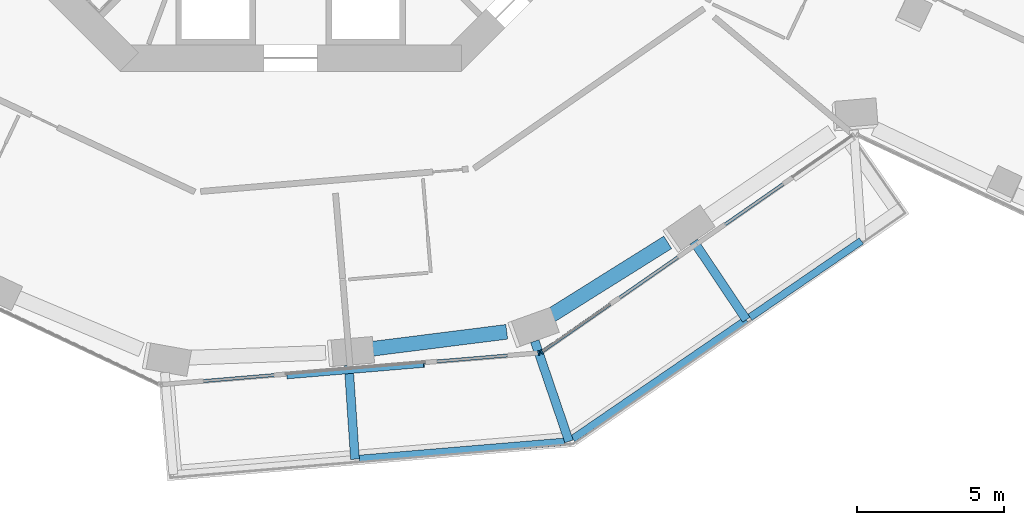
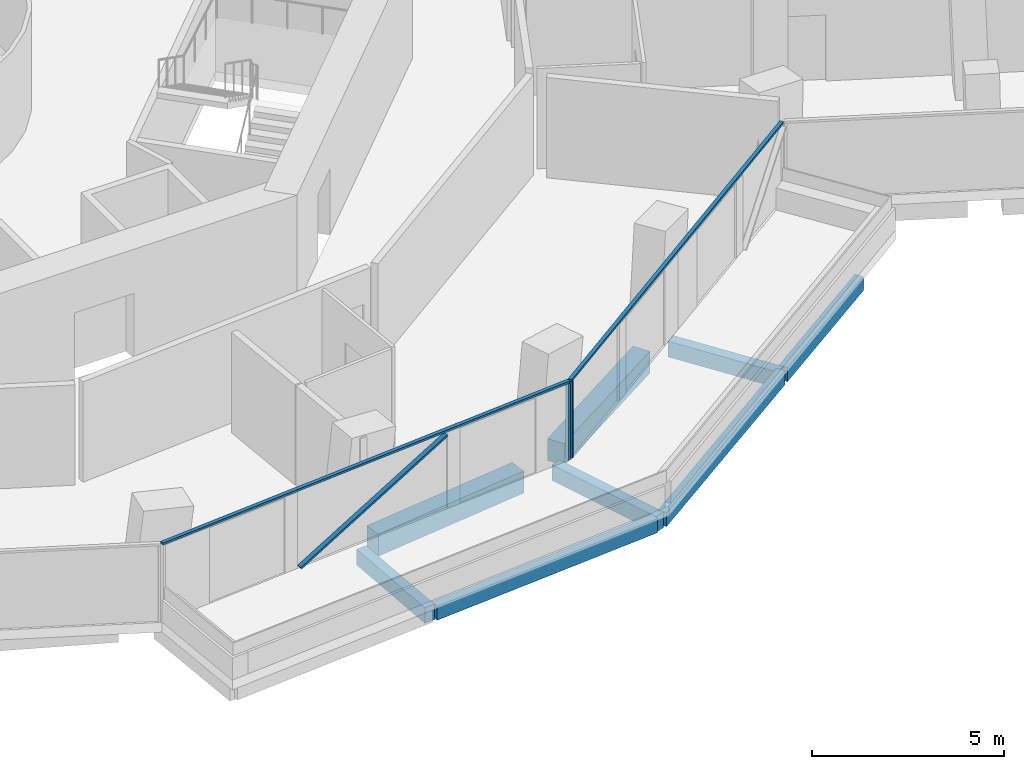
# One storey, part 5 of 26: 8 beams, 5 members, 2 elements without a shape of their own.
"""IFC4 building model written with IfcOpenShell, lengths in metres."""

from ifc_helpers import new_model, si_unit, direction, frame, origin, origin_2d, place, context, subcontext, project, spatial, rectangle, extrude, material, layer, layer_set, material_profile, profile_set, type_object, element, aggregate, save


model = new_model("IFC4")

# Units and contexts
model_context = context("Model", 3, precision=1e-05, world=origin(), true_north=direction((0.0, 1.0)))
body_context = subcontext(model_context, "Body", "Model", "MODEL_VIEW")
ifc_project = project(units=[si_unit("LENGTHUNIT", "METRE"), si_unit("AREAUNIT", "SQUARE_METRE"), si_unit("VOLUMEUNIT", "CUBIC_METRE"), si_unit("PLANEANGLEUNIT", "RADIAN"), si_unit("MASSUNIT", "GRAM", prefix="KILO")], contexts=[model_context])

# Site, building, storey
site_placement = place(None, origin())
site = spatial("IfcSite", under=ifc_project, at=site_placement, CompositionType="ELEMENT")
building_placement = place(site_placement, origin())
building = spatial("IfcBuilding", under=site, at=building_placement, Name="Verdalira Terraces Hotel", CompositionType="ELEMENT")
storey_placement = place(building_placement, frame((0.0, 0.0, 53.0)))
storey = spatial("IfcBuildingStorey", under=building, at=storey_placement, Name="L11", CompositionType="ELEMENT", Elevation=53.0)

# Beams
ifc_material_1 = material(Name="Concrete C40", Category="concrete")
ifc_material_profile_1 = material_profile(ifc_material_1, rectangle(XDim=0.300049, YDim=0.5, at=origin_2d()), Name="RC 300X500")
ifc_profile_set_1 = profile_set([ifc_material_profile_1], Name="Concrete C40")
beam_type_1 = type_object("IfcBeamType", Name="Balcony cantilever beam RC 300X500 C40", PredefinedType="BEAM", material=ifc_profile_set_1)
beam_1_placement = place(storey_placement, frame((1.970703, -23.977295, -0.560059), z_axis=(0.066969567, -0.997755019, 0.0), x_axis=(0.997755019, 0.066969567, 0.0)))
element("IfcBeam", 1, at=beam_1_placement, inside=storey, type_object=beam_type_1, Name="Balcony cantilever beam R26-2", PredefinedType="BEAM", context=body_context, shape_type="SweptSolid", body=[
    extrude(rectangle(XDim=0.300049, YDim=0.5, at=origin_2d()), origin(), (0.0, 0.0, 1.0), 3.200684),
])
beam_2_placement = place(storey_placement, frame((8.29248, -23.161133, -0.560059), z_axis=(0.322917074, -0.946427263, 0.0), x_axis=(0.946427263, 0.322917074, 0.0)))
element("IfcBeam", 2, at=beam_2_placement, inside=storey, type_object=beam_type_1, Name="Balcony cantilever beam R26-3", PredefinedType="BEAM", context=body_context, shape_type="SweptSolid", body=[
    extrude(rectangle(XDim=0.300049, YDim=0.5, at=origin_2d()), origin(), (0.0, 0.0, 1.0), 3.598145),
])
beam_3_placement = place(storey_placement, frame((13.695312, -19.779541, -0.560059), z_axis=(0.556898555, -0.830580519, 0.0), x_axis=(0.830580519, 0.556898555, 0.0)))
element("IfcBeam", 3, at=beam_3_placement, inside=storey, type_object=beam_type_1, Name="Balcony cantilever beam R26-4", PredefinedType="BEAM", context=body_context, shape_type="SweptSolid", body=[
    extrude(rectangle(XDim=0.300049, YDim=0.5, at=origin_2d()), origin(), (0.0, 0.0, 1.0), 3.200684),
])
ifc_material_2 = material(Name="Concrete C40", Category="concrete")
ifc_material_profile_2 = material_profile(ifc_material_2, rectangle(XDim=0.25, YDim=0.449951, at=origin_2d()), Name="RC 250X450")
ifc_profile_set_2 = profile_set([ifc_material_profile_2], Name="Concrete C40")
beam_type_2 = type_object("IfcBeamType", Name="Balcony edge beam RC 250X450 C40", PredefinedType="BEAM", material=ifc_profile_set_2)
beam_4_placement = place(storey_placement, frame((2.334717, -27.158447, -0.534912), z_axis=(0.996558994, 0.082886492, 0.0), x_axis=(-0.082886492, 0.996558994, 0.0)))
element("IfcBeam", 4, at=beam_4_placement, inside=storey, type_object=beam_type_2, Name="Balcony edge beam R26-2", PredefinedType="BEAM", context=body_context, shape_type="SweptSolid", body=[
    extrude(rectangle(XDim=0.25, YDim=0.449951, at=origin_2d()), origin(), (0.0, 0.0, 1.0), 6.989746),
])
beam_5_placement = place(storey_placement, frame((9.582764, -26.478271, -0.534912), z_axis=(0.824860392, 0.565336479, 0.0), x_axis=(-0.565336479, 0.824860392, 0.0)))
element("IfcBeam", 5, at=beam_5_placement, inside=storey, type_object=beam_type_2, Name="Balcony edge beam R26-3", PredefinedType="BEAM", context=body_context, shape_type="SweptSolid", body=[
    extrude(rectangle(XDim=0.25, YDim=0.449951, at=origin_2d()), origin(), (0.0, 0.0, 1.0), 7.146729),
])
beam_6_placement = place(storey_placement, frame((15.601318, -22.353271, -0.534912), z_axis=(0.824564964, 0.565767284, 0.0), x_axis=(-0.565767284, 0.824564964, 0.0)))
element("IfcBeam", 6, at=beam_6_placement, inside=storey, type_object=beam_type_2, Name="Balcony edge beam R26-4", PredefinedType="BEAM", context=body_context, shape_type="SweptSolid", body=[
    extrude(rectangle(XDim=0.25, YDim=0.449951, at=origin_2d()), origin(), (0.0, 0.0, 1.0), 4.58667),
])

# Curtain wall, member
ifc_material_3 = material(Name="Clear glass", Category="glass")
ifc_layer = layer(ifc_material_3, 0.14990234375)
ifc_layer_set = layer_set([ifc_layer], Name="CW1 curtain wall")
curtain_wall_type = type_object("IfcCurtainWallType", Name="CW1 curtain wall", PredefinedType="NOTDEFINED", material=ifc_layer_set)
curtain_wall_1_placement = place(storey_placement, origin())
curtain_wall_1 = element("IfcCurtainWall", 7, at=curtain_wall_1_placement, inside=storey, type_object=curtain_wall_type, Name="CW1 curtain wall L11 edge 26", PredefinedType="NOTDEFINED")
ifc_material_4 = material(Name="Terracotta frame", Category="masonry")
ifc_material_profile_3 = material_profile(ifc_material_4, rectangle(XDim=0.060059, YDim=0.149902, at=origin_2d()), Name="MU 60x150")
ifc_profile_set_3 = profile_set([ifc_material_profile_3], Name="Terracotta frame")
member_type_1 = type_object("IfcMemberType", Name="CW1 mullion 60x150", PredefinedType="MULLION", material=ifc_profile_set_3)
member_1_placement = place(storey_placement, frame((8.430908, -23.560547, 0.0), z_axis=(0.0, 0.0, 1.0), x_axis=(0.996492859, 0.083677843, 0.0)))
member_1 = element("IfcMember", 8, at=member_1_placement, type_object=member_type_1, Name="CW1 mullion", PredefinedType="MULLION", context=body_context, shape_type="SweptSolid", body=[
    extrude(rectangle(XDim=0.060059, YDim=0.149902, at=origin_2d()), origin(), (0.0, 0.0, 1.0), 2.425049),
])

curtain_wall_2_placement = place(storey_placement, origin())
curtain_wall_2 = element("IfcCurtainWall", 9, at=curtain_wall_2_placement, inside=storey, type_object=curtain_wall_type, Name="CW1 curtain wall L11 edge 27", PredefinedType="NOTDEFINED")
member_2_placement = place(storey_placement, frame((8.521973, -23.527588, 0.0), z_axis=(0.0, 0.0, 1.0), x_axis=(0.821149209, 0.570713568, 0.0)))
member_2 = element("IfcMember", 10, at=member_2_placement, type_object=member_type_1, Name="CW1 mullion", PredefinedType="MULLION", context=body_context, shape_type="SweptSolid", body=[
    extrude(rectangle(XDim=0.060059, YDim=0.149902, at=origin_2d()), origin(), (0.0, 0.0, 1.0), 2.425049),
])

# Member
ifc_material_5 = material(Name="Terracotta frame", Category="masonry")
ifc_material_profile_4 = material_profile(ifc_material_5, rectangle(XDim=0.110107, YDim=0.064941, at=origin_2d()), Name="TR 65x110")
ifc_profile_set_4 = profile_set([ifc_material_profile_4], Name="Terracotta frame")
member_type_2 = type_object("IfcMemberType", Name="CW1 transom 65x110", PredefinedType="USERDEFINED", material=ifc_profile_set_4)
member_3_placement = place(storey_placement, frame((-4.413574, -24.63916, 2.45752), z_axis=(0.996491463, 0.083694474, 0.0), x_axis=(-0.083694474, 0.996491463, 0.0)))
member_3 = element("IfcMember", 11, at=member_3_placement, type_object=member_type_2, Name="CW1 transom", ObjectType="TRANSOM", PredefinedType="USERDEFINED", context=body_context, shape_type="SweptSolid", body=[
    extrude(rectangle(XDim=0.110107, YDim=0.064941, at=origin_2d()), origin(), (0.0, 0.0, 1.0), 12.919678),
])

member_4_placement = place(storey_placement, frame((8.497314, -23.544922, 2.45752), z_axis=(0.821141654, 0.570724438, 0.0), x_axis=(-0.570724438, 0.821141654, 0.0)))
member_4 = element("IfcMember", 12, at=member_4_placement, type_object=member_type_2, Name="CW1 transom", ObjectType="TRANSOM", PredefinedType="USERDEFINED", context=body_context, shape_type="SweptSolid", body=[
    extrude(rectangle(XDim=0.110107, YDim=0.064941, at=origin_2d()), origin(), (0.0, 0.0, 1.0), 12.959717),
])

aggregate(curtain_wall_2, [member_2, member_4])

ifc_material_6 = material(Name="Terracotta frame", Category="masonry")
ifc_material_profile_5 = material_profile(ifc_material_6, rectangle(XDim=0.149902, YDim=0.060059, at=origin_2d()), Name="GB 60x150")
ifc_profile_set_5 = profile_set([ifc_material_profile_5], Name="Terracotta frame")
member_type_3 = type_object("IfcMemberType", Name="Diagonal glazing bar 60x150", PredefinedType="USERDEFINED", material=ifc_profile_set_5)
member_5_placement = place(storey_placement, frame((-0.108398, -24.366943, 0.027588), z_axis=(0.887869778, 0.074554308, 0.45401422), x_axis=(-0.083675391, 0.996493065, 0.0)))
member_5 = element("IfcMember", 13, at=member_5_placement, type_object=member_type_3, Name="Diagonal glazing bar", ObjectType="GLAZING BAR", PredefinedType="USERDEFINED", context=body_context, shape_type="SweptSolid", body=[
    extrude(rectangle(XDim=0.149902, YDim=0.060059, at=origin_2d()), origin(), (0.0, 0.0, 1.0), 5.219727),
])

aggregate(curtain_wall_1, [member_1, member_3, member_5])

# Beams
ifc_material_7 = material(Name="Concrete C70", Category="concrete")
ifc_material_profile_6 = material_profile(ifc_material_7, rectangle(XDim=0.5, YDim=0.699951, at=origin_2d()), Name="RC 500X700")
ifc_profile_set_6 = profile_set([ifc_material_profile_6], Name="Concrete C70")
beam_type_3 = type_object("IfcBeamType", Name="Spandrel beam RC 500X700 C70", PredefinedType="SPANDREL", material=ifc_profile_set_6)
beam_7_placement = place(storey_placement, frame((2.620605, -23.44043, -0.659912), z_axis=(0.992148597, 0.12506463, 0.0), x_axis=(-0.12506463, 0.992148597, 0.0)))
element("IfcBeam", 14, at=beam_7_placement, inside=storey, type_object=beam_type_3, Name="Spandrel beam B22", PredefinedType="SPANDREL", context=body_context, shape_type="SweptSolid", body=[
    extrude(rectangle(XDim=0.5, YDim=0.699951, at=origin_2d()), origin(), (0.0, 0.0, 1.0), 4.755371),
])
beam_8_placement = place(storey_placement, frame((8.773682, -22.33252, -0.659912), z_axis=(0.847551277, 0.530713514, 0.0), x_axis=(-0.530713514, 0.847551277, 0.0)))
element("IfcBeam", 15, at=beam_8_placement, inside=storey, type_object=beam_type_3, Name="Spandrel beam B23", PredefinedType="SPANDREL", context=body_context, shape_type="SweptSolid", body=[
    extrude(rectangle(XDim=0.5, YDim=0.699951, at=origin_2d()), origin(), (0.0, 0.0, 1.0), 4.759033),
])

save(model, "model.ifc")
